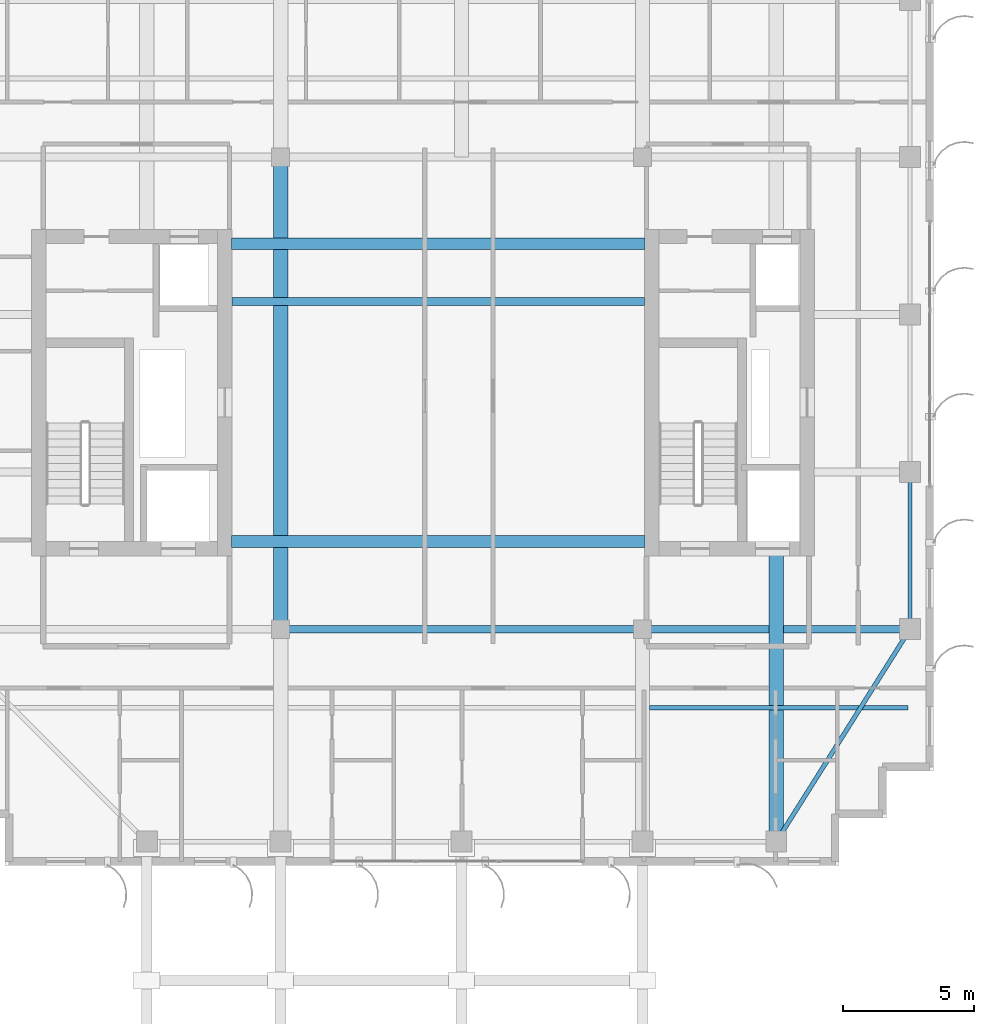
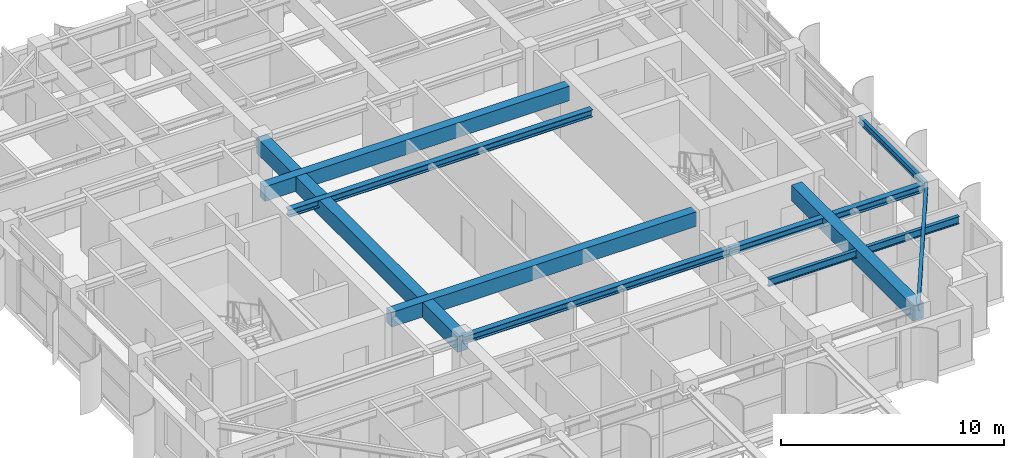
# One storey, part 7 of 19: 10 beams.
"""IFC4 building model written with IfcOpenShell, lengths in metres."""

import ifcopenshell
import ifcopenshell.guid

model = None  # the IFC model being written
_history = None  # IfcOwnerHistory: only IFC2X3 demands one
_inside = {}  # id of a spatial element -> (the spatial element, [elements in it])
_under = {}  # id of a project, library or spatial element -> (it, [spatial elements below it])
_declared = {}  # id of a project -> (the project, [libraries it declares])
_typed = {}  # id of a type object -> (the type object, [elements of that type])
_made_of = {}  # id of a material, layer set ... -> (it, [elements and type objects made of it])


def new_model(schema):
    """Start an empty IFC model of exactly this schema.

    Asked for "IFC4X3", IfcOpenShell would pick the latest addendum, in which some entities
    have other attributes; the version numbers below select the first issue.
    IFC2X3 requires an IfcOwnerHistory on every rooted entity: one is made here for all.
    """
    global model, _history
    if schema == "IFC4X3":
        model = ifcopenshell.file(schema_version=(4, 3, 0, 0))
    else:
        model = ifcopenshell.file(schema=schema)
    _inside.clear()
    _under.clear()
    _declared.clear()
    _typed.clear()
    _made_of.clear()
    _history = None
    if model.schema == "IFC2X3":
        org = make("IfcOrganization", Name="unknown")
        user = make(
            "IfcPersonAndOrganization",
            ThePerson=make("IfcPerson", FamilyName="unknown"),
            TheOrganization=org,
        )
        app = make(
            "IfcApplication",
            ApplicationDeveloper=org,
            Version="unknown",
            ApplicationFullName="unknown",
            ApplicationIdentifier="unknown",
        )
        _history = make(
            "IfcOwnerHistory",
            OwningUser=user,
            OwningApplication=app,
            ChangeAction="ADDED",
            CreationDate=0,
        )
    return model


def make(cls, **values):
    """One entity of the class cls with the attributes given. An attribute that is None is left unset."""
    return model.create_entity(
        cls, **{name: value for name, value in values.items() if value is not None}
    )


def rooted(cls, **values):
    """An entity with a GlobalId (a new one), such as an element, a storey or a relation."""
    return make(cls, GlobalId=ifcopenshell.guid.new(), OwnerHistory=_history, **values)


def si_unit(unit_type, name, prefix=None):
    """IfcSIUnit, for example si_unit("LENGTHUNIT", "METRE", prefix="MILLI")."""
    return make("IfcSIUnit", UnitType=unit_type, Prefix=prefix, Name=name)


def assignment(units):
    """IfcUnitAssignment: the units of a project."""
    return None if units is None else make("IfcUnitAssignment", Units=units)


def point(xyz):
    """IfcCartesianPoint."""
    return None if xyz is None else make("IfcCartesianPoint", Coordinates=xyz)


def direction(xyz):
    """IfcDirection."""
    return None if xyz is None else make("IfcDirection", DirectionRatios=xyz)


def frame(location, z_axis=None, x_axis=None):
    """IfcAxis2Placement3D, a coordinate frame: its origin and axes. An axis left out is left unset."""
    return make(
        "IfcAxis2Placement3D",
        Location=point(location),
        Axis=direction(z_axis),
        RefDirection=direction(x_axis),
    )


def frame_2d(location, x_axis=None):
    """IfcAxis2Placement2D, a coordinate frame in the plane: its origin and x axis."""
    return make(
        "IfcAxis2Placement2D", Location=point(location), RefDirection=direction(x_axis)
    )


def origin():
    """The frame at (0, 0, 0) with its axes left unset."""
    return frame((0.0, 0.0, 0.0))


def origin_2d():
    """The frame at (0, 0) in the plane with its x axis left unset."""
    return frame_2d((0.0, 0.0))


def place(relative_to, where):
    """IfcLocalPlacement: puts the frame where relative to a parent placement (None: the world)."""
    return make(
        "IfcLocalPlacement", PlacementRelTo=relative_to, RelativePlacement=where
    )


def context(
    kind, dimensions, precision=None, world=None, true_north=None, identifier=None
):
    """IfcGeometricRepresentationContext, for example the 3D "Model" context."""
    return make(
        "IfcGeometricRepresentationContext",
        ContextIdentifier=identifier,
        ContextType=kind,
        CoordinateSpaceDimension=dimensions,
        Precision=precision,
        WorldCoordinateSystem=world,
        TrueNorth=true_north,
    )


def subcontext(parent, identifier, kind, view, scale=None):
    """IfcGeometricRepresentationSubContext, for example "Body" below "Model"."""
    return make(
        "IfcGeometricRepresentationSubContext",
        ContextIdentifier=identifier,
        ContextType=kind,
        ParentContext=parent,
        TargetScale=scale,
        TargetView=view,
    )


def project(units=None, contexts=None):
    """IfcProject with its units and contexts."""
    return rooted(
        "IfcProject",
        Name="project",
        RepresentationContexts=contexts,
        UnitsInContext=assignment(units),
    )


def spatial(cls, under=None, at=None, **own):
    """A site, building, storey or space (cls), placed at a placement, below another one or the project."""
    s = rooted(cls, ObjectPlacement=at, **own)
    if under is not None:
        _under.setdefault(under.id(), (under, []))[1].append(s)
    return s


def profile(cls, at=None, kind="AREA", **sizes):
    """A parametric profile (cls). Its sizes go by their IFC names, for example OverallWidth=200.0."""
    return make(cls, ProfileType=kind, Position=at, **sizes)


def rectangle(**sizes):
    """IfcRectangleProfileDef."""
    return profile("IfcRectangleProfileDef", **sizes)


def i_section(**sizes):
    """IfcIShapeProfileDef."""
    return profile("IfcIShapeProfileDef", **sizes)


def extrude(swept, where, along, depth):
    """IfcExtrudedAreaSolid: the profile swept, set in the frame where, extruded along a direction by depth."""
    return make(
        "IfcExtrudedAreaSolid",
        SweptArea=swept,
        Position=where,
        ExtrudedDirection=direction(along),
        Depth=depth,
    )


def shape(context_of_items, identifier, shape_type, items):
    """IfcShapeRepresentation: the items that make up one representation, for example the "Body"."""
    return make(
        "IfcShapeRepresentation",
        ContextOfItems=context_of_items,
        RepresentationIdentifier=identifier,
        RepresentationType=shape_type,
        Items=items,
    )


def source(mapping_origin, context_of_items, identifier, shape_type, items):
    """IfcRepresentationMap: a shape defined once, which mapped items show again and again."""
    return make(
        "IfcRepresentationMap",
        MappingOrigin=mapping_origin,
        MappedRepresentation=shape(context_of_items, identifier, shape_type, items),
    )


def transform(
    local_origin,
    x_axis=None,
    y_axis=None,
    z_axis=None,
    scale=None,
    scale2=None,
    scale3=None,
    uniform=True,
):
    """IfcCartesianTransformationOperator3D, or its non-uniform kind. x_axis, y_axis, z_axis: its Axis1, 2, 3."""
    if uniform:
        return make(
            "IfcCartesianTransformationOperator3D",
            Axis1=direction(x_axis),
            Axis2=direction(y_axis),
            LocalOrigin=point(local_origin),
            Scale=scale,
            Axis3=direction(z_axis),
        )
    return make(
        "IfcCartesianTransformationOperator3DnonUniform",
        Axis1=direction(x_axis),
        Axis2=direction(y_axis),
        LocalOrigin=point(local_origin),
        Scale=scale,
        Axis3=direction(z_axis),
        Scale2=scale2,
        Scale3=scale3,
    )


def mapped(mapping_source, mapping_target):
    """IfcMappedItem: shows the shape of a source again, moved by a transform."""
    return make(
        "IfcMappedItem", MappingSource=mapping_source, MappingTarget=mapping_target
    )


def material(Name=None, Category=None):
    """IfcMaterial."""
    return make("IfcMaterial", Name=Name, Category=Category)


def material_profile(
    of_material, cross_section, Name=None, Category=None, Priority=None
):
    """IfcMaterialProfile: a cross section and its material."""
    return make(
        "IfcMaterialProfile",
        Name=Name,
        Material=of_material,
        Profile=cross_section,
        Priority=Priority,
        Category=Category,
    )


def profile_set(profiles, Name=None, composite=None):
    """IfcMaterialProfileSet."""
    return make(
        "IfcMaterialProfileSet",
        Name=Name,
        MaterialProfiles=profiles,
        CompositeProfile=composite,
    )


def made_of(thing, what):
    """Note that an element or type object is made of a material, layer set ...; save() writes the relation."""
    if what is not None:
        _made_of.setdefault(what.id(), (what, []))[1].append(thing)
    return thing


def type_object(cls, material=None, **own):
    """A type object (cls), such as IfcWallType, which elements share."""
    return made_of(rooted(cls, **own), material)


def element(
    cls,
    number,
    at=None,
    inside=None,
    cuts=None,
    type_object=None,
    material=None,
    context=None,
    identifier="Body",
    shape_type=None,
    held_by="IfcProductDefinitionShape",
    body=None,
    shapes=None,
    **own,
):
    """One element of the class cls, such as IfcWall. Its Tag is "e" and its number.

    at: its placement. inside: the storey or other place that contains it. cuts: it is an
    opening in that element (IfcRelVoidsElement). A single representation is given by context,
    identifier, shape_type and body (its items); several are given by shapes. held_by: the class
    of the entity that holds the representations. save() writes the other relations.
    """
    e = rooted(cls, Tag="e%d" % number, ObjectPlacement=at, **own)
    if body is not None:
        shapes = [shape(context, identifier, shape_type, body)]
    if shapes is not None:
        e.Representation = make(held_by, Representations=shapes)
    if inside is not None:
        _inside.setdefault(inside.id(), (inside, []))[1].append(e)
    if cuts is not None:
        rooted(
            "IfcRelVoidsElement", RelatingBuildingElement=cuts, RelatedOpeningElement=e
        )
    if type_object is not None:
        _typed.setdefault(type_object.id(), (type_object, []))[1].append(e)
    return made_of(e, material)


def aggregate(whole, parts):
    """IfcRelAggregates: a whole, such as a stair, and the parts it consists of."""
    return rooted("IfcRelAggregates", RelatingObject=whole, RelatedObjects=parts)


def save(model, path):
    """Write the relations noted so far, then the file.

    IfcRelAggregates (storeys below a building ...), IfcRelContainedInSpatialStructure (elements
    in a storey), IfcRelDefinesByType, IfcRelAssociatesMaterial and IfcRelDeclares: one each for
    every whole, place, type object, material and project.
    """
    for whole, parts in _under.values():
        aggregate(whole, parts)
    for where, things in _inside.values():
        rooted(
            "IfcRelContainedInSpatialStructure",
            RelatedElements=things,
            RelatingStructure=where,
        )
    for kind, things in _typed.values():
        rooted("IfcRelDefinesByType", RelatedObjects=things, RelatingType=kind)
    for what, things in _made_of.values():
        rooted("IfcRelAssociatesMaterial", RelatedObjects=things, RelatingMaterial=what)
    for by, libraries in _declared.values():
        rooted("IfcRelDeclares", RelatingContext=by, RelatedDefinitions=libraries)
    model.write(path)


model = new_model("IFC4")

# Units and contexts
model_context = context("Model", 3, precision=1e-05, world=origin(), true_north=direction((0.0, 1.0)))
body_context = subcontext(model_context, "Body", "Model", "MODEL_VIEW")
ifc_project = project(units=[si_unit("LENGTHUNIT", "METRE"), si_unit("AREAUNIT", "SQUARE_METRE"), si_unit("VOLUMEUNIT", "CUBIC_METRE"), si_unit("PLANEANGLEUNIT", "RADIAN"), si_unit("MASSUNIT", "GRAM", prefix="KILO")], contexts=[model_context])

# Site, building, storey
site_placement = place(None, origin())
site = spatial("IfcSite", under=ifc_project, at=site_placement, CompositionType="ELEMENT")
building_placement = place(site_placement, origin())
building = spatial("IfcBuilding", under=site, at=building_placement, Name="Khoralis Quay Care Tower", CompositionType="ELEMENT")
storey_placement = place(building_placement, frame((0.0, 0.0, 281.699951171875)))
storey = spatial("IfcBuildingStorey", under=building, at=storey_placement, Name="L74", CompositionType="ELEMENT", Elevation=281.699951171875)

# Beams
ifc_material_1 = material(Name="Concrete C50/60", Category="concrete")
ifc_material_profile_1 = material_profile(ifc_material_1, rectangle(XDim=0.449951171875, YDim=0.800048828125, at=origin_2d()), Name="Concrete C50/60")
ifc_profile_set_1 = profile_set([ifc_material_profile_1], Name="Concrete C50/60")
beam_type_1 = type_object("IfcBeamType", Name="CB-RC450X800", PredefinedType="LINTEL", material=ifc_profile_set_1)
shared_shape_1 = source(origin(), body_context, "Body", "SweptSolid", [
    extrude(rectangle(XDim=0.449951171875, YDim=0.800048828125, at=origin_2d()), origin(), (0.0, 0.0, 1.0), 15.780029296875),
])
for number, where, z_axis, x_axis, name in (
    (1, (15.219970703125, 15.35009765625, 2.920166015625), (1.0, 0.0, 0.0), (0.0, 1.0, 0.0), "L74 South Core Coupling Lintel"),
    (2, (15.219970703125, 26.699951171875, 2.920166015625), (1.0, 0.0, 0.0), (0.0, 1.0, 0.0), "L74 North Core Coupling Lintel"),
):
    element("IfcBeam", number, at=place(storey_placement, frame(where, z_axis=z_axis, x_axis=x_axis)), inside=storey, type_object=beam_type_1, Name=name, PredefinedType="LINTEL", context=body_context, shape_type="MappedRepresentation", body=[
        mapped(shared_shape_1, transform((0.0, 0.0, 0.0), scale=1.0)),
    ])
ifc_material_2 = material(Name="Steel S355", Category="steel")
ifc_material_profile_2 = material_profile(ifc_material_2, i_section(OverallWidth=0.169921875, OverallDepth=0.360107421875, WebThickness=0.008056640625, FlangeThickness=0.0126953125, FilletRadius=0.01806640625, at=origin_2d()), Name="Steel S355")
ifc_profile_set_2 = profile_set([ifc_material_profile_2], Name="Steel S355")
beam_type_2 = type_object("IfcBeamType", Name="BM-IPE360", PredefinedType="SPANDREL", material=ifc_profile_set_2)
shared_shape_2 = source(origin(), body_context, "Body", "SweptSolid", [
    extrude(i_section(OverallWidth=0.169921875, OverallDepth=0.360107421875, WebThickness=0.008056640625, FlangeThickness=0.0126953125, FilletRadius=0.01806640625, at=origin_2d()), origin(), (0.0, 0.0, 1.0), 6.0),
])
beam_1_placement = place(storey_placement, frame((41.10009765625, 12.0, 3.14013671875), z_axis=(0.0, 1.0, 0.0), x_axis=(-1.0, 0.0, 0.0)))
element("IfcBeam", 3, at=beam_1_placement, inside=storey, type_object=beam_type_2, Name="BM-TSP-L74-13", PredefinedType="SPANDREL", context=body_context, shape_type="MappedRepresentation", body=[
    mapped(shared_shape_2, transform((0.0, 0.0, 0.0), scale=1.0)),
])
shared_shape_3 = source(origin(), body_context, "Body", "SweptSolid", [
    extrude(i_section(OverallWidth=0.169921875, OverallDepth=0.360107421875, WebThickness=0.008056640625, FlangeThickness=0.0126953125, FilletRadius=0.01806640625, at=origin_2d()), origin(), (0.0, 0.0, 1.0), 9.572021484375),
])
beam_2_placement = place(storey_placement, frame((36.0, 3.89990234375, 3.14013671875), z_axis=(0.532815975602, 0.846231136359, 0.0), x_axis=(-0.846231136359, 0.532815975602, 0.0)))
element("IfcBeam", 4, at=beam_2_placement, inside=storey, type_object=beam_type_2, Name="BM-TCR-L74-18", PredefinedType="SPANDREL", context=body_context, shape_type="MappedRepresentation", body=[
    mapped(shared_shape_3, transform((0.0, 0.0, 0.0), scale=1.0)),
])
ifc_material_profile_3 = material_profile(ifc_material_2, i_section(OverallWidth=0.300048828125, OverallDepth=0.39990234375, WebThickness=0.013427734375, FlangeThickness=0.02392578125, FilletRadius=0.027099609375, at=origin_2d()), Name="Steel S355")
ifc_profile_set_3 = profile_set([ifc_material_profile_3], Name="Steel S355")
beam_type_3 = type_object("IfcBeamType", Name="BM-HEB400", PredefinedType="BEAM", material=ifc_profile_set_3)
shared_shape_4 = source(origin(), body_context, "Body", "SweptSolid", [
    extrude(i_section(OverallWidth=0.300048828125, OverallDepth=0.39990234375, WebThickness=0.013427734375, FlangeThickness=0.02392578125, FilletRadius=0.027099609375, at=origin_2d()), origin(), (0.0, 0.0, 1.0), 10.2001953125),
])
beam_3_placement = place(storey_placement, frame((30.89990234375, 12.0, 3.1201171875), z_axis=(1.0, 0.0, 0.0), x_axis=(0.0, 1.0, 0.0)))
element("IfcBeam", 5, at=beam_3_placement, inside=storey, type_object=beam_type_3, Name="BM-TGXE-L74-120", PredefinedType="BEAM", context=body_context, shape_type="MappedRepresentation", body=[
    mapped(shared_shape_4, transform((0.0, 0.0, 0.0), scale=1.0)),
])
ifc_material_profile_4 = material_profile(ifc_material_1, rectangle(XDim=0.550048828125, YDim=0.85009765625, at=origin_2d()), Name="Concrete C50/60")
ifc_profile_set_4 = profile_set([ifc_material_profile_4], Name="Concrete C50/60")
beam_type_4 = type_object("IfcBeamType", Name="BM-RC550X850", PredefinedType="BEAM", material=ifc_profile_set_4)
shared_shape_5 = source(origin(), body_context, "Body", "SweptSolid", [
    extrude(rectangle(XDim=0.550048828125, YDim=0.85009765625, at=origin_2d()), origin(), (0.0, 0.0, 1.0), 10.902099609375),
])
beam_4_placement = place(storey_placement, frame((36.0, 3.89990234375, 2.89501953125), z_axis=(0.0, 1.0, 0.0), x_axis=(-1.0, 0.0, 0.0)))
element("IfcBeam", 6, at=beam_4_placement, inside=storey, type_object=beam_type_4, Name="BM-TGYS-L74-360", PredefinedType="BEAM", context=body_context, shape_type="MappedRepresentation", body=[
    mapped(shared_shape_5, transform((0.0, 0.0, 0.0), scale=1.0)),
])
shared_shape_6 = source(origin(), body_context, "Body", "SweptSolid", [
    extrude(rectangle(XDim=0.550048828125, YDim=0.85009765625, at=origin_2d()), origin(), (0.0, 0.0, 1.0), 18.0),
])
beam_5_placement = place(storey_placement, frame((17.10009765625, 12.0, 2.89501953125), z_axis=(0.0, 1.0, 0.0), x_axis=(-1.0, 0.0, 0.0)))
element("IfcBeam", 7, at=beam_5_placement, inside=storey, type_object=beam_type_4, Name="BM-TGSW-L74", PredefinedType="BEAM", context=body_context, shape_type="MappedRepresentation", body=[
    mapped(shared_shape_6, transform((0.0, 0.0, 0.0), scale=1.0)),
])
ifc_material_profile_5 = material_profile(ifc_material_2, i_section(OverallWidth=0.177978515625, OverallDepth=0.406982421875, WebThickness=0.0078125, FlangeThickness=0.0126953125, FilletRadius=0.012939453125, at=origin_2d()), Name="Steel S355")
ifc_profile_set_5 = profile_set([ifc_material_profile_5], Name="Steel S355")
beam_type_5 = type_object("IfcBeamType", Name="BM-W410X60", PredefinedType="JOIST", material=ifc_profile_set_5)
shared_shape_7 = source(origin(), body_context, "Body", "SweptSolid", [
    extrude(i_section(OverallWidth=0.177978515625, OverallDepth=0.406982421875, WebThickness=0.0078125, FlangeThickness=0.0126953125, FilletRadius=0.012939453125, at=origin_2d()), origin(), (0.0, 0.0, 1.0), 9.865966796875),
])
beam_6_placement = place(storey_placement, frame((31.1630859375, 9.0, 3.116455078125), z_axis=(1.0, 0.0, 0.0), x_axis=(0.0, 1.0, 0.0)))
element("IfcBeam", 8, at=beam_6_placement, inside=storey, type_object=beam_type_5, Name="BM-TJS-L74-22", PredefinedType="JOIST", context=body_context, shape_type="MappedRepresentation", body=[
    mapped(shared_shape_7, transform((0.0, 0.0, 0.0), scale=1.0)),
])
shared_shape_8 = source(origin(), body_context, "Body", "SweptSolid", [
    extrude(i_section(OverallWidth=0.300048828125, OverallDepth=0.39990234375, WebThickness=0.013427734375, FlangeThickness=0.02392578125, FilletRadius=0.027099609375, at=origin_2d()), origin(), (0.0, 0.0, 1.0), 13.7998046875),
])
beam_7_placement = place(storey_placement, frame((17.10009765625, 12.0, 3.1201171875), z_axis=(1.0, 0.0, 0.0), x_axis=(0.0, 1.0, 0.0)))
element("IfcBeam", 9, at=beam_7_placement, inside=storey, type_object=beam_type_3, Name="BM-TGCC-L74-120", PredefinedType="BEAM", context=body_context, shape_type="MappedRepresentation", body=[
    mapped(shared_shape_8, transform((0.0, 0.0, 0.0), scale=1.0)),
])
shared_shape_9 = source(origin(), body_context, "Body", "SweptSolid", [
    extrude(i_section(OverallWidth=0.300048828125, OverallDepth=0.39990234375, WebThickness=0.013427734375, FlangeThickness=0.02392578125, FilletRadius=0.027099609375, at=origin_2d()), origin(), (0.0, 0.0, 1.0), 15.723876953125),
])
beam_8_placement = place(storey_placement, frame((15.248046875, 24.5, 3.1201171875), z_axis=(1.0, 0.0, 0.0), x_axis=(0.0, 1.0, 0.0)))
element("IfcBeam", 10, at=beam_8_placement, inside=storey, type_object=beam_type_3, Name="BM-TGCC-L74-245", PredefinedType="BEAM", context=body_context, shape_type="MappedRepresentation", body=[
    mapped(shared_shape_9, transform((0.0, 0.0, 0.0), scale=1.0)),
])

save(model, "model.ifc")
